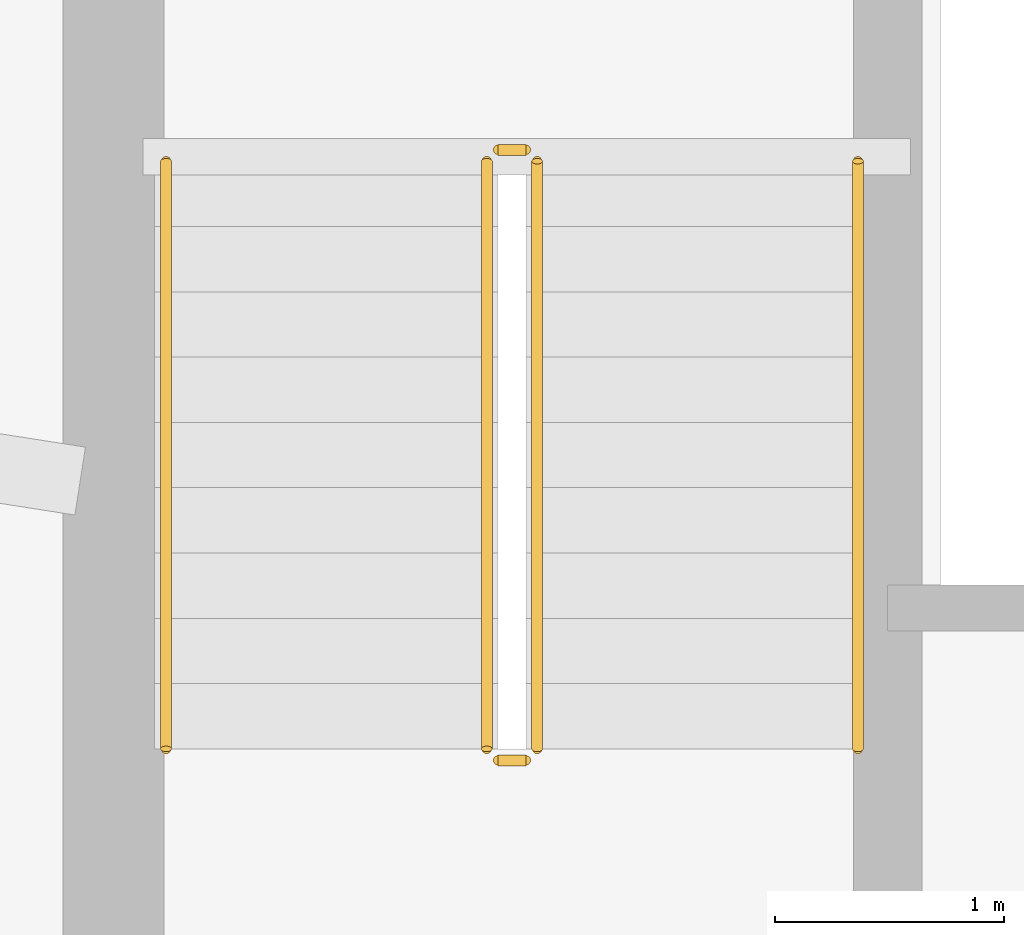
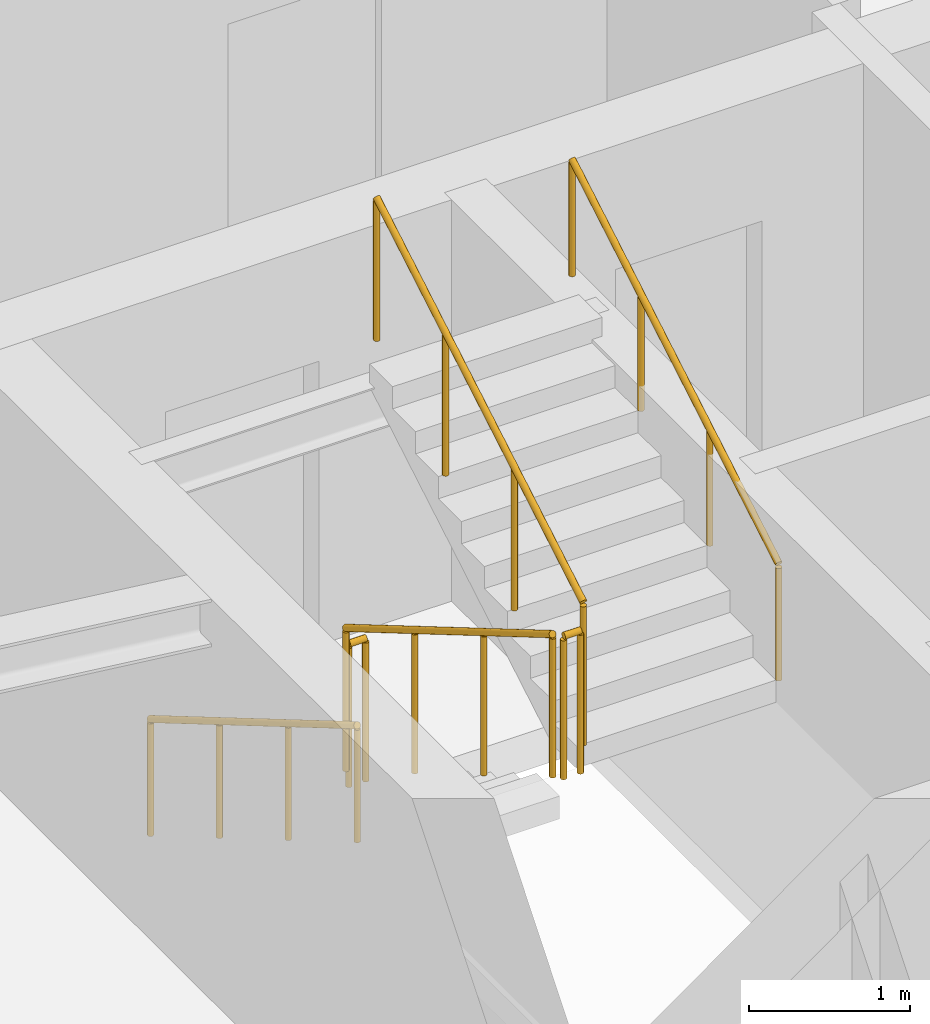
# One storey, part 10 of 12: 6 railings.
"""IFC4 building model written with IfcOpenShell, lengths in metres."""

import ifcopenshell
import ifcopenshell.guid

model = None  # the IFC model being written
_history = None  # IfcOwnerHistory: only IFC2X3 demands one
_inside = {}  # id of a spatial element -> (the spatial element, [elements in it])
_under = {}  # id of a project, library or spatial element -> (it, [spatial elements below it])
_declared = {}  # id of a project -> (the project, [libraries it declares])
_typed = {}  # id of a type object -> (the type object, [elements of that type])
_made_of = {}  # id of a material, layer set ... -> (it, [elements and type objects made of it])


def new_model(schema):
    """Start an empty IFC model of exactly this schema.

    Asked for "IFC4X3", IfcOpenShell would pick the latest addendum, in which some entities
    have other attributes; the version numbers below select the first issue.
    IFC2X3 requires an IfcOwnerHistory on every rooted entity: one is made here for all.
    """
    global model, _history
    if schema == "IFC4X3":
        model = ifcopenshell.file(schema_version=(4, 3, 0, 0))
    else:
        model = ifcopenshell.file(schema=schema)
    _inside.clear()
    _under.clear()
    _declared.clear()
    _typed.clear()
    _made_of.clear()
    _history = None
    if model.schema == "IFC2X3":
        org = make("IfcOrganization", Name="unknown")
        user = make(
            "IfcPersonAndOrganization",
            ThePerson=make("IfcPerson", FamilyName="unknown"),
            TheOrganization=org,
        )
        app = make(
            "IfcApplication",
            ApplicationDeveloper=org,
            Version="unknown",
            ApplicationFullName="unknown",
            ApplicationIdentifier="unknown",
        )
        _history = make(
            "IfcOwnerHistory",
            OwningUser=user,
            OwningApplication=app,
            ChangeAction="ADDED",
            CreationDate=0,
        )
    return model


def make(cls, **values):
    """One entity of the class cls with the attributes given. An attribute that is None is left unset."""
    return model.create_entity(
        cls, **{name: value for name, value in values.items() if value is not None}
    )


def rooted(cls, **values):
    """An entity with a GlobalId (a new one), such as an element, a storey or a relation."""
    return make(cls, GlobalId=ifcopenshell.guid.new(), OwnerHistory=_history, **values)


def si_unit(unit_type, name, prefix=None):
    """IfcSIUnit, for example si_unit("LENGTHUNIT", "METRE", prefix="MILLI")."""
    return make("IfcSIUnit", UnitType=unit_type, Prefix=prefix, Name=name)


def assignment(units):
    """IfcUnitAssignment: the units of a project."""
    return None if units is None else make("IfcUnitAssignment", Units=units)


def point(xyz):
    """IfcCartesianPoint."""
    return None if xyz is None else make("IfcCartesianPoint", Coordinates=xyz)


def direction(xyz):
    """IfcDirection."""
    return None if xyz is None else make("IfcDirection", DirectionRatios=xyz)


def frame(location, z_axis=None, x_axis=None):
    """IfcAxis2Placement3D, a coordinate frame: its origin and axes. An axis left out is left unset."""
    return make(
        "IfcAxis2Placement3D",
        Location=point(location),
        Axis=direction(z_axis),
        RefDirection=direction(x_axis),
    )


def frame_2d(location, x_axis=None):
    """IfcAxis2Placement2D, a coordinate frame in the plane: its origin and x axis."""
    return make(
        "IfcAxis2Placement2D", Location=point(location), RefDirection=direction(x_axis)
    )


def origin():
    """The frame at (0, 0, 0) with its axes left unset."""
    return frame((0.0, 0.0, 0.0))


def origin_2d():
    """The frame at (0, 0) in the plane with its x axis left unset."""
    return frame_2d((0.0, 0.0))


def place(relative_to, where):
    """IfcLocalPlacement: puts the frame where relative to a parent placement (None: the world)."""
    return make(
        "IfcLocalPlacement", PlacementRelTo=relative_to, RelativePlacement=where
    )


def context(
    kind, dimensions, precision=None, world=None, true_north=None, identifier=None
):
    """IfcGeometricRepresentationContext, for example the 3D "Model" context."""
    return make(
        "IfcGeometricRepresentationContext",
        ContextIdentifier=identifier,
        ContextType=kind,
        CoordinateSpaceDimension=dimensions,
        Precision=precision,
        WorldCoordinateSystem=world,
        TrueNorth=true_north,
    )


def subcontext(parent, identifier, kind, view, scale=None):
    """IfcGeometricRepresentationSubContext, for example "Body" below "Model"."""
    return make(
        "IfcGeometricRepresentationSubContext",
        ContextIdentifier=identifier,
        ContextType=kind,
        ParentContext=parent,
        TargetScale=scale,
        TargetView=view,
    )


def project(units=None, contexts=None):
    """IfcProject with its units and contexts."""
    return rooted(
        "IfcProject",
        Name="project",
        RepresentationContexts=contexts,
        UnitsInContext=assignment(units),
    )


def spatial(cls, under=None, at=None, **own):
    """A site, building, storey or space (cls), placed at a placement, below another one or the project."""
    s = rooted(cls, ObjectPlacement=at, **own)
    if under is not None:
        _under.setdefault(under.id(), (under, []))[1].append(s)
    return s


def profile(cls, at=None, kind="AREA", **sizes):
    """A parametric profile (cls). Its sizes go by their IFC names, for example OverallWidth=200.0."""
    return make(cls, ProfileType=kind, Position=at, **sizes)


def circle(**sizes):
    """IfcCircleProfileDef."""
    return profile("IfcCircleProfileDef", **sizes)


def extrude(swept, where, along, depth):
    """IfcExtrudedAreaSolid: the profile swept, set in the frame where, extruded along a direction by depth."""
    return make(
        "IfcExtrudedAreaSolid",
        SweptArea=swept,
        Position=where,
        ExtrudedDirection=direction(along),
        Depth=depth,
    )


def shape(context_of_items, identifier, shape_type, items):
    """IfcShapeRepresentation: the items that make up one representation, for example the "Body"."""
    return make(
        "IfcShapeRepresentation",
        ContextOfItems=context_of_items,
        RepresentationIdentifier=identifier,
        RepresentationType=shape_type,
        Items=items,
    )


def material(Name=None, Category=None):
    """IfcMaterial."""
    return make("IfcMaterial", Name=Name, Category=Category)


def made_of(thing, what):
    """Note that an element or type object is made of a material, layer set ...; save() writes the relation."""
    if what is not None:
        _made_of.setdefault(what.id(), (what, []))[1].append(thing)
    return thing


def type_object(cls, material=None, **own):
    """A type object (cls), such as IfcWallType, which elements share."""
    return made_of(rooted(cls, **own), material)


def element(
    cls,
    number,
    at=None,
    inside=None,
    cuts=None,
    type_object=None,
    material=None,
    context=None,
    identifier="Body",
    shape_type=None,
    held_by="IfcProductDefinitionShape",
    body=None,
    shapes=None,
    **own,
):
    """One element of the class cls, such as IfcWall. Its Tag is "e" and its number.

    at: its placement. inside: the storey or other place that contains it. cuts: it is an
    opening in that element (IfcRelVoidsElement). A single representation is given by context,
    identifier, shape_type and body (its items); several are given by shapes. held_by: the class
    of the entity that holds the representations. save() writes the other relations.
    """
    e = rooted(cls, Tag="e%d" % number, ObjectPlacement=at, **own)
    if body is not None:
        shapes = [shape(context, identifier, shape_type, body)]
    if shapes is not None:
        e.Representation = make(held_by, Representations=shapes)
    if inside is not None:
        _inside.setdefault(inside.id(), (inside, []))[1].append(e)
    if cuts is not None:
        rooted(
            "IfcRelVoidsElement", RelatingBuildingElement=cuts, RelatedOpeningElement=e
        )
    if type_object is not None:
        _typed.setdefault(type_object.id(), (type_object, []))[1].append(e)
    return made_of(e, material)


def aggregate(whole, parts):
    """IfcRelAggregates: a whole, such as a stair, and the parts it consists of."""
    return rooted("IfcRelAggregates", RelatingObject=whole, RelatedObjects=parts)


def save(model, path):
    """Write the relations noted so far, then the file.

    IfcRelAggregates (storeys below a building ...), IfcRelContainedInSpatialStructure (elements
    in a storey), IfcRelDefinesByType, IfcRelAssociatesMaterial and IfcRelDeclares: one each for
    every whole, place, type object, material and project.
    """
    for whole, parts in _under.values():
        aggregate(whole, parts)
    for where, things in _inside.values():
        rooted(
            "IfcRelContainedInSpatialStructure",
            RelatedElements=things,
            RelatingStructure=where,
        )
    for kind, things in _typed.values():
        rooted("IfcRelDefinesByType", RelatedObjects=things, RelatingType=kind)
    for what, things in _made_of.values():
        rooted("IfcRelAssociatesMaterial", RelatedObjects=things, RelatingMaterial=what)
    for by, libraries in _declared.values():
        rooted("IfcRelDeclares", RelatingContext=by, RelatedDefinitions=libraries)
    model.write(path)


model = new_model("IFC4")

# Units and contexts
model_context = context("Model", 3, precision=1e-05, world=origin(), true_north=direction((0.0, 1.0)))
body_context = subcontext(model_context, "Body", "Model", "MODEL_VIEW")
ifc_project = project(units=[si_unit("LENGTHUNIT", "METRE"), si_unit("AREAUNIT", "SQUARE_METRE"), si_unit("VOLUMEUNIT", "CUBIC_METRE"), si_unit("PLANEANGLEUNIT", "RADIAN"), si_unit("MASSUNIT", "GRAM", prefix="KILO")], contexts=[model_context])

# Site, building, storey
site_placement = place(None, origin())
site = spatial("IfcSite", under=ifc_project, at=site_placement, CompositionType="ELEMENT")
building_placement = place(site_placement, origin())
building = spatial("IfcBuilding", under=site, at=building_placement, Name="Qobustan Lattice House", CompositionType="ELEMENT")
storey_placement = place(building_placement, frame((0.0, 0.0, 228.300048828125)))
storey = spatial("IfcBuildingStorey", under=building, at=storey_placement, Name="L64", CompositionType="ELEMENT", Elevation=228.300048828125)

# Railings
ifc_material_1 = material(Name="Brushed stainless steel handrail", Category="steel")
railing_type_1 = type_object("IfcRailingType", Name="RAL-HR-920", PredefinedType="HANDRAIL", material=ifc_material_1)
railing_1_placement = place(storey_placement, frame((-18.199951171875, 3.5, 0.16748046875)))
element("IfcRailing", 1, at=railing_1_placement, inside=storey, type_object=railing_type_1, Name="L64 ST-W1 stair handrail 1", PredefinedType="HANDRAIL", context=body_context, shape_type="SweptSolid", body=[
    extrude(circle(Radius=0.02392578125, at=origin_2d()), frame((0.0, 0.0, 0.8759765625), z_axis=(0.0, -0.862113467892, 0.50671527358), x_axis=(1.0, 0.0, 0.0)), (0.0, 0.0, 1.0), 2.97509765625),
    extrude(circle(Radius=0.02099609375, at=origin_2d()), origin(), (0.0, 0.0, 1.0), 0.851806640625),
    extrude(circle(Radius=0.02099609375, at=origin_2d()), frame((0.0, -0.85498046875, 0.50244140625)), (0.0, 0.0, 1.0), 0.851806640625),
    extrude(circle(Radius=0.02099609375, at=origin_2d()), frame((0.0, -1.7099609375, 1.005126953125)), (0.0, 0.0, 1.0), 0.851806640625),
    extrude(circle(Radius=0.02099609375, at=origin_2d()), frame((0.0, -2.56494140625, 1.507568359375)), (0.0, 0.0, 1.0), 0.851806640625),
])
railing_2_placement = place(storey_placement, frame((-15.179931640625, 0.93505859375, 1.842529296875)))
element("IfcRailing", 2, at=railing_2_placement, inside=storey, type_object=railing_type_1, Name="L64 ST-W1 stair handrail 2", PredefinedType="HANDRAIL", context=body_context, shape_type="SweptSolid", body=[
    extrude(circle(Radius=0.02392578125, at=origin_2d()), frame((0.0, 0.0, 0.8759765625), z_axis=(0.0, 0.862149314443, 0.506654280161), x_axis=(-1.0, 0.0, 0.0)), (0.0, 0.0, 1.0), 2.97509765625),
    extrude(circle(Radius=0.02099609375, at=origin_2d()), origin(), (0.0, 0.0, 1.0), 0.851806640625),
    extrude(circle(Radius=0.02099609375, at=origin_2d()), frame((0.0, 0.85498046875, 0.50244140625)), (0.0, 0.0, 1.0), 0.851806640625),
    extrude(circle(Radius=0.02099609375, at=origin_2d()), frame((0.0, 1.7099609375, 1.0048828125)), (0.0, 0.0, 1.0), 0.851806640625),
    extrude(circle(Radius=0.02099609375, at=origin_2d()), frame((0.0, 2.56494140625, 1.50732421875)), (0.0, 0.0, 1.0), 0.851806640625),
])
ifc_material_2 = material(Name="Painted galvanized steel guardrail", Category="steel")
railing_type_2 = type_object("IfcRailingType", Name="RAL-STG-1150", PredefinedType="GUARDRAIL", material=ifc_material_2)
railing_3_placement = place(storey_placement, frame((-16.800048828125, 3.5, 0.16748046875)))
element("IfcRailing", 3, at=railing_3_placement, inside=storey, type_object=railing_type_2, Name="L64 ST-W1 stair guard 1", PredefinedType="GUARDRAIL", context=body_context, shape_type="SweptSolid", body=[
    extrude(circle(Radius=0.02392578125, at=origin_2d()), frame((0.0, 0.0, 1.076171875), z_axis=(0.0, -0.862113467892, 0.50671527358), x_axis=(1.0, 0.0, 0.0)), (0.0, 0.0, 1.0), 2.97509765625),
    extrude(circle(Radius=0.02099609375, at=origin_2d()), origin(), (0.0, 0.0, 1.0), 1.052001953125),
    extrude(circle(Radius=0.02099609375, at=origin_2d()), frame((0.0, -0.85498046875, 0.50244140625)), (0.0, 0.0, 1.0), 1.052001953125),
    extrude(circle(Radius=0.02099609375, at=origin_2d()), frame((0.0, -1.7099609375, 1.005126953125)), (0.0, 0.0, 1.0), 1.052001953125),
    extrude(circle(Radius=0.02099609375, at=origin_2d()), frame((0.0, -2.56494140625, 1.507568359375)), (0.0, 0.0, 1.0), 1.052001953125),
])
railing_4_placement = place(storey_placement, frame((-16.75, 0.885009765625, 1.675048828125)))
element("IfcRailing", 4, at=railing_4_placement, inside=storey, type_object=railing_type_2, Name="L64 ST-W1 stair guard 2", PredefinedType="GUARDRAIL", context=body_context, shape_type="SweptSolid", body=[
    extrude(circle(Radius=0.02392578125, at=origin_2d()), frame((0.0, 0.0, 1.076171875), z_axis=(1.0, 0.0, 0.0), x_axis=(0.0, 1.0, 0.0)), (0.0, 0.0, 1.0), 0.1201171875),
    extrude(circle(Radius=0.02099609375, at=origin_2d()), origin(), (0.0, 0.0, 1.0), 1.052001953125),
    extrude(circle(Radius=0.02099609375, at=origin_2d()), frame((0.1201171875, 0.0, 0.0)), (0.0, 0.0, 1.0), 1.052001953125),
])
railing_5_placement = place(storey_placement, frame((-16.580078125, 0.93505859375, 1.842529296875)))
element("IfcRailing", 5, at=railing_5_placement, inside=storey, type_object=railing_type_2, Name="L64 ST-W1 stair guard 3", PredefinedType="GUARDRAIL", context=body_context, shape_type="SweptSolid", body=[
    extrude(circle(Radius=0.02392578125, at=origin_2d()), frame((0.0, 0.0, 1.076171875), z_axis=(0.0, 0.862149314443, 0.506654280161), x_axis=(-1.0, 0.0, 0.0)), (0.0, 0.0, 1.0), 2.97509765625),
    extrude(circle(Radius=0.02099609375, at=origin_2d()), origin(), (0.0, 0.0, 1.0), 1.052001953125),
    extrude(circle(Radius=0.02099609375, at=origin_2d()), frame((0.0, 0.85498046875, 0.50244140625)), (0.0, 0.0, 1.0), 1.052001953125),
    extrude(circle(Radius=0.02099609375, at=origin_2d()), frame((0.0, 1.7099609375, 1.0048828125)), (0.0, 0.0, 1.0), 1.052001953125),
    extrude(circle(Radius=0.02099609375, at=origin_2d()), frame((0.0, 2.56494140625, 1.50732421875)), (0.0, 0.0, 1.0), 1.052001953125),
])
railing_6_placement = place(storey_placement, frame((-16.75, 3.550048828125, 0.0)))
element("IfcRailing", 6, at=railing_6_placement, inside=storey, type_object=railing_type_2, Name="L64 ST-W1 stair guard 4", PredefinedType="GUARDRAIL", context=body_context, shape_type="SweptSolid", body=[
    extrude(circle(Radius=0.02392578125, at=origin_2d()), frame((0.0, 0.0, 1.076171875), z_axis=(1.0, 0.0, 0.0), x_axis=(0.0, 1.0, 0.0)), (0.0, 0.0, 1.0), 0.1201171875),
    extrude(circle(Radius=0.02099609375, at=origin_2d()), origin(), (0.0, 0.0, 1.0), 1.052001953125),
    extrude(circle(Radius=0.02099609375, at=origin_2d()), frame((0.1201171875, 0.0, 0.0)), (0.0, 0.0, 1.0), 1.052001953125),
])

save(model, "model.ifc")
